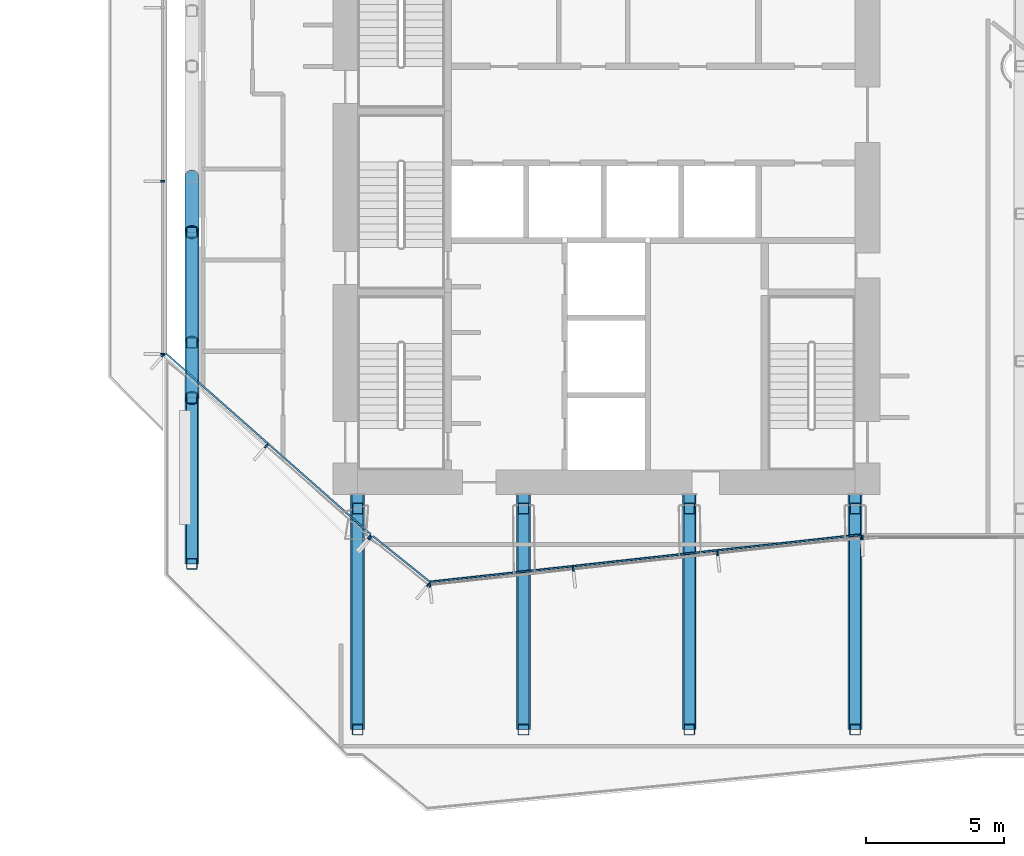
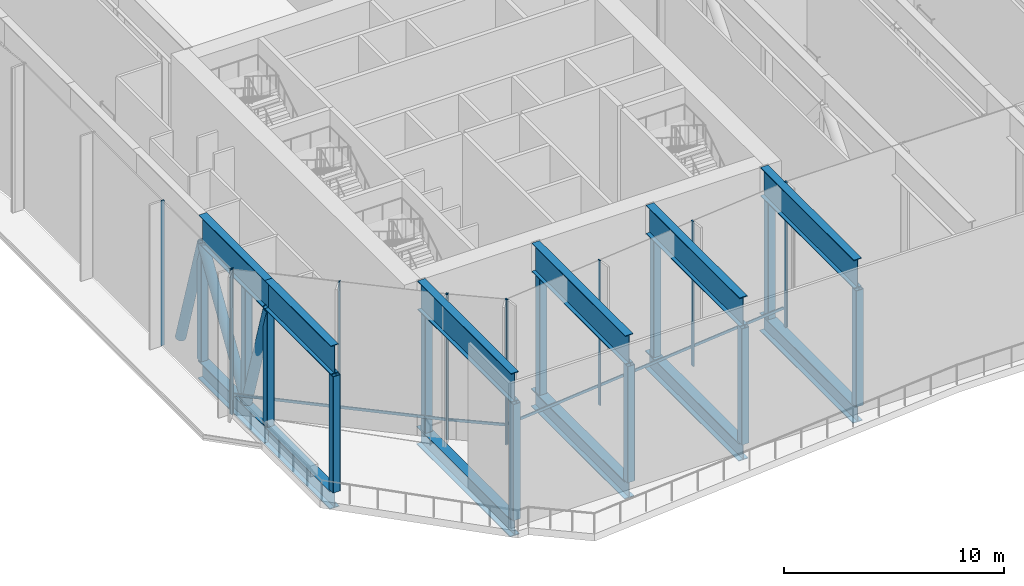
# One storey, part 1 of 25: 42 members, 5 elements without a shape of their own.
"""IFC4 building model written with IfcOpenShell, lengths in metres."""

import ifcopenshell
import ifcopenshell.guid

model = None  # the IFC model being written
_history = None  # IfcOwnerHistory: only IFC2X3 demands one
_inside = {}  # id of a spatial element -> (the spatial element, [elements in it])
_under = {}  # id of a project, library or spatial element -> (it, [spatial elements below it])
_declared = {}  # id of a project -> (the project, [libraries it declares])
_typed = {}  # id of a type object -> (the type object, [elements of that type])
_made_of = {}  # id of a material, layer set ... -> (it, [elements and type objects made of it])


def new_model(schema):
    """Start an empty IFC model of exactly this schema.

    Asked for "IFC4X3", IfcOpenShell would pick the latest addendum, in which some entities
    have other attributes; the version numbers below select the first issue.
    IFC2X3 requires an IfcOwnerHistory on every rooted entity: one is made here for all.
    """
    global model, _history
    if schema == "IFC4X3":
        model = ifcopenshell.file(schema_version=(4, 3, 0, 0))
    else:
        model = ifcopenshell.file(schema=schema)
    _inside.clear()
    _under.clear()
    _declared.clear()
    _typed.clear()
    _made_of.clear()
    _history = None
    if model.schema == "IFC2X3":
        org = make("IfcOrganization", Name="unknown")
        user = make(
            "IfcPersonAndOrganization",
            ThePerson=make("IfcPerson", FamilyName="unknown"),
            TheOrganization=org,
        )
        app = make(
            "IfcApplication",
            ApplicationDeveloper=org,
            Version="unknown",
            ApplicationFullName="unknown",
            ApplicationIdentifier="unknown",
        )
        _history = make(
            "IfcOwnerHistory",
            OwningUser=user,
            OwningApplication=app,
            ChangeAction="ADDED",
            CreationDate=0,
        )
    return model


def make(cls, **values):
    """One entity of the class cls with the attributes given. An attribute that is None is left unset."""
    return model.create_entity(
        cls, **{name: value for name, value in values.items() if value is not None}
    )


def rooted(cls, **values):
    """An entity with a GlobalId (a new one), such as an element, a storey or a relation."""
    return make(cls, GlobalId=ifcopenshell.guid.new(), OwnerHistory=_history, **values)


def si_unit(unit_type, name, prefix=None):
    """IfcSIUnit, for example si_unit("LENGTHUNIT", "METRE", prefix="MILLI")."""
    return make("IfcSIUnit", UnitType=unit_type, Prefix=prefix, Name=name)


def assignment(units):
    """IfcUnitAssignment: the units of a project."""
    return None if units is None else make("IfcUnitAssignment", Units=units)


def point(xyz):
    """IfcCartesianPoint."""
    return None if xyz is None else make("IfcCartesianPoint", Coordinates=xyz)


def direction(xyz):
    """IfcDirection."""
    return None if xyz is None else make("IfcDirection", DirectionRatios=xyz)


def frame(location, z_axis=None, x_axis=None):
    """IfcAxis2Placement3D, a coordinate frame: its origin and axes. An axis left out is left unset."""
    return make(
        "IfcAxis2Placement3D",
        Location=point(location),
        Axis=direction(z_axis),
        RefDirection=direction(x_axis),
    )


def frame_2d(location, x_axis=None):
    """IfcAxis2Placement2D, a coordinate frame in the plane: its origin and x axis."""
    return make(
        "IfcAxis2Placement2D", Location=point(location), RefDirection=direction(x_axis)
    )


def origin():
    """The frame at (0, 0, 0) with its axes left unset."""
    return frame((0.0, 0.0, 0.0))


def origin_2d():
    """The frame at (0, 0) in the plane with its x axis left unset."""
    return frame_2d((0.0, 0.0))


def place(relative_to, where):
    """IfcLocalPlacement: puts the frame where relative to a parent placement (None: the world)."""
    return make(
        "IfcLocalPlacement", PlacementRelTo=relative_to, RelativePlacement=where
    )


def context(
    kind, dimensions, precision=None, world=None, true_north=None, identifier=None
):
    """IfcGeometricRepresentationContext, for example the 3D "Model" context."""
    return make(
        "IfcGeometricRepresentationContext",
        ContextIdentifier=identifier,
        ContextType=kind,
        CoordinateSpaceDimension=dimensions,
        Precision=precision,
        WorldCoordinateSystem=world,
        TrueNorth=true_north,
    )


def subcontext(parent, identifier, kind, view, scale=None):
    """IfcGeometricRepresentationSubContext, for example "Body" below "Model"."""
    return make(
        "IfcGeometricRepresentationSubContext",
        ContextIdentifier=identifier,
        ContextType=kind,
        ParentContext=parent,
        TargetScale=scale,
        TargetView=view,
    )


def project(units=None, contexts=None):
    """IfcProject with its units and contexts."""
    return rooted(
        "IfcProject",
        Name="project",
        RepresentationContexts=contexts,
        UnitsInContext=assignment(units),
    )


def spatial(cls, under=None, at=None, **own):
    """A site, building, storey or space (cls), placed at a placement, below another one or the project."""
    s = rooted(cls, ObjectPlacement=at, **own)
    if under is not None:
        _under.setdefault(under.id(), (under, []))[1].append(s)
    return s


def profile(cls, at=None, kind="AREA", **sizes):
    """A parametric profile (cls). Its sizes go by their IFC names, for example OverallWidth=200.0."""
    return make(cls, ProfileType=kind, Position=at, **sizes)


def rectangle(**sizes):
    """IfcRectangleProfileDef."""
    return profile("IfcRectangleProfileDef", **sizes)


def hollow_rectangle(**sizes):
    """IfcRectangleHollowProfileDef."""
    return profile("IfcRectangleHollowProfileDef", **sizes)


def hollow_circle(**sizes):
    """IfcCircleHollowProfileDef."""
    return profile("IfcCircleHollowProfileDef", **sizes)


def i_section(**sizes):
    """IfcIShapeProfileDef."""
    return profile("IfcIShapeProfileDef", **sizes)


def extrude(swept, where, along, depth):
    """IfcExtrudedAreaSolid: the profile swept, set in the frame where, extruded along a direction by depth."""
    return make(
        "IfcExtrudedAreaSolid",
        SweptArea=swept,
        Position=where,
        ExtrudedDirection=direction(along),
        Depth=depth,
    )


def shape(context_of_items, identifier, shape_type, items):
    """IfcShapeRepresentation: the items that make up one representation, for example the "Body"."""
    return make(
        "IfcShapeRepresentation",
        ContextOfItems=context_of_items,
        RepresentationIdentifier=identifier,
        RepresentationType=shape_type,
        Items=items,
    )


def material(Name=None, Category=None):
    """IfcMaterial."""
    return make("IfcMaterial", Name=Name, Category=Category)


def layer(
    of_material, thickness, ventilated=None, Name=None, Category=None, Priority=None
):
    """IfcMaterialLayer: one layer of a wall or slab, of a material (None: an air gap)."""
    return make(
        "IfcMaterialLayer",
        Material=of_material,
        LayerThickness=thickness,
        IsVentilated=ventilated,
        Name=Name,
        Category=Category,
        Priority=Priority,
    )


def layer_set(layers, Name=None):
    """IfcMaterialLayerSet."""
    return make("IfcMaterialLayerSet", MaterialLayers=layers, LayerSetName=Name)


def material_profile(
    of_material, cross_section, Name=None, Category=None, Priority=None
):
    """IfcMaterialProfile: a cross section and its material."""
    return make(
        "IfcMaterialProfile",
        Name=Name,
        Material=of_material,
        Profile=cross_section,
        Priority=Priority,
        Category=Category,
    )


def profile_set(profiles, Name=None, composite=None):
    """IfcMaterialProfileSet."""
    return make(
        "IfcMaterialProfileSet",
        Name=Name,
        MaterialProfiles=profiles,
        CompositeProfile=composite,
    )


def made_of(thing, what):
    """Note that an element or type object is made of a material, layer set ...; save() writes the relation."""
    if what is not None:
        _made_of.setdefault(what.id(), (what, []))[1].append(thing)
    return thing


def type_object(cls, material=None, **own):
    """A type object (cls), such as IfcWallType, which elements share."""
    return made_of(rooted(cls, **own), material)


def element(
    cls,
    number,
    at=None,
    inside=None,
    cuts=None,
    type_object=None,
    material=None,
    context=None,
    identifier="Body",
    shape_type=None,
    held_by="IfcProductDefinitionShape",
    body=None,
    shapes=None,
    **own,
):
    """One element of the class cls, such as IfcWall. Its Tag is "e" and its number.

    at: its placement. inside: the storey or other place that contains it. cuts: it is an
    opening in that element (IfcRelVoidsElement). A single representation is given by context,
    identifier, shape_type and body (its items); several are given by shapes. held_by: the class
    of the entity that holds the representations. save() writes the other relations.
    """
    e = rooted(cls, Tag="e%d" % number, ObjectPlacement=at, **own)
    if body is not None:
        shapes = [shape(context, identifier, shape_type, body)]
    if shapes is not None:
        e.Representation = make(held_by, Representations=shapes)
    if inside is not None:
        _inside.setdefault(inside.id(), (inside, []))[1].append(e)
    if cuts is not None:
        rooted(
            "IfcRelVoidsElement", RelatingBuildingElement=cuts, RelatedOpeningElement=e
        )
    if type_object is not None:
        _typed.setdefault(type_object.id(), (type_object, []))[1].append(e)
    return made_of(e, material)


def aggregate(whole, parts):
    """IfcRelAggregates: a whole, such as a stair, and the parts it consists of."""
    return rooted("IfcRelAggregates", RelatingObject=whole, RelatedObjects=parts)


def save(model, path):
    """Write the relations noted so far, then the file.

    IfcRelAggregates (storeys below a building ...), IfcRelContainedInSpatialStructure (elements
    in a storey), IfcRelDefinesByType, IfcRelAssociatesMaterial and IfcRelDeclares: one each for
    every whole, place, type object, material and project.
    """
    for whole, parts in _under.values():
        aggregate(whole, parts)
    for where, things in _inside.values():
        rooted(
            "IfcRelContainedInSpatialStructure",
            RelatedElements=things,
            RelatingStructure=where,
        )
    for kind, things in _typed.values():
        rooted("IfcRelDefinesByType", RelatedObjects=things, RelatingType=kind)
    for what, things in _made_of.values():
        rooted("IfcRelAssociatesMaterial", RelatedObjects=things, RelatingMaterial=what)
    for by, libraries in _declared.values():
        rooted("IfcRelDeclares", RelatingContext=by, RelatedDefinitions=libraries)
    model.write(path)


model = new_model("IFC4")

# Units and contexts
model_context = context("Model", 3, precision=1e-05, world=origin(), true_north=direction((0.0, 1.0)))
body_context = subcontext(model_context, "Body", "Model", "MODEL_VIEW")
ifc_project = project(units=[si_unit("LENGTHUNIT", "METRE"), si_unit("AREAUNIT", "SQUARE_METRE"), si_unit("VOLUMEUNIT", "CUBIC_METRE"), si_unit("PLANEANGLEUNIT", "RADIAN"), si_unit("MASSUNIT", "GRAM", prefix="KILO")], contexts=[model_context])

# Site, building, storey
site_placement = place(None, origin())
site = spatial("IfcSite", under=ifc_project, at=site_placement, CompositionType="ELEMENT")
building_placement = place(site_placement, origin())
building = spatial("IfcBuilding", under=site, at=building_placement, Name="Welwitschia Terrace Campus", CompositionType="ELEMENT")
storey_placement = place(building_placement, frame((0.0, 0.0, 79.39990234375)))
storey = spatial("IfcBuildingStorey", under=building, at=storey_placement, Name="L18", CompositionType="ELEMENT", Elevation=79.39990234375)

# Curtain wall, members
ifc_material_1 = material(Name="Bronze anodised aluminium", Category="aluminium")
ifc_layer = layer(ifc_material_1, 0.159912109375)
ifc_layer_set = layer_set([ifc_layer], Name="Bronze anodised aluminium")
curtain_wall_type = type_object("IfcCurtainWallType", Name="Curtain wall CW3 commons 6000", PredefinedType="NOTDEFINED", material=ifc_layer_set)
curtain_wall_1_placement = place(storey_placement, origin())
curtain_wall_1 = element("IfcCurtainWall", 1, at=curtain_wall_1_placement, inside=storey, type_object=curtain_wall_type, Name="CW L18.4.0", PredefinedType="NOTDEFINED")
ifc_material_2 = material(Name="Bronze anodised aluminium", Category="aluminium")
ifc_material_profile_1 = material_profile(ifc_material_2, rectangle(XDim=0.159912109375, YDim=0.06005859375, at=origin_2d()))
ifc_profile_set_1 = profile_set([ifc_material_profile_1], Name="Bronze anodised aluminium")
member_type_1 = type_object("IfcMemberType", Name="Mullion 60x160", PredefinedType="MULLION", material=ifc_profile_set_1)
member_1_placement = place(storey_placement, frame((-1.050048828125, 15.842041015625, 0.0), z_axis=(0.0, 0.0, 1.0), x_axis=(1.0, 0.0, 0.0)))
member_1 = element("IfcMember", 2, at=member_1_placement, type_object=member_type_1, Name="Mullion L18.4.0.2", PredefinedType="MULLION", context=body_context, shape_type="SweptSolid", body=[
    extrude(rectangle(XDim=0.159912109375, YDim=0.06005859375, at=origin_2d()), origin(), (0.0, 0.0, 1.0), 8.050048828125),
])
member_2_placement = place(storey_placement, frame((-1.050048828125, 9.594970703125, 0.0), z_axis=(0.0, 0.0, 1.0), x_axis=(1.0, 0.0, 0.0)))
member_2 = element("IfcMember", 3, at=member_2_placement, type_object=member_type_1, Name="Mullion L18.4.0.3", PredefinedType="MULLION", context=body_context, shape_type="SweptSolid", body=[
    extrude(rectangle(XDim=0.159912109375, YDim=0.06005859375, at=origin_2d()), origin(), (0.0, 0.0, 1.0), 8.050048828125),
])
aggregate(curtain_wall_1, [member_1, member_2])

curtain_wall_2_placement = place(storey_placement, origin())
curtain_wall_2 = element("IfcCurtainWall", 4, at=curtain_wall_2_placement, inside=storey, type_object=curtain_wall_type, Name="CW L18.5.0", PredefinedType="NOTDEFINED")
member_3_placement = place(storey_placement, frame((-1.027587890625, 9.545166015625, 0.0), z_axis=(0.0, 0.0, 1.0), x_axis=(0.661857693601, 0.749629504102, 0.0)))
member_3 = element("IfcMember", 5, at=member_3_placement, type_object=member_type_1, Name="Mullion L18.5.0.0", PredefinedType="MULLION", context=body_context, shape_type="SweptSolid", body=[
    extrude(rectangle(XDim=0.159912109375, YDim=0.06005859375, at=origin_2d()), origin(), (0.0, 0.0, 1.0), 8.050048828125),
])
member_4_placement = place(storey_placement, frame((2.696044921875, 6.257568359375, 0.0), z_axis=(0.0, 0.0, 1.0), x_axis=(0.661857693601, 0.749629504102, 0.0)))
member_4 = element("IfcMember", 6, at=member_4_placement, type_object=member_type_1, Name="Mullion L18.5.0.1", PredefinedType="MULLION", context=body_context, shape_type="SweptSolid", body=[
    extrude(rectangle(XDim=0.159912109375, YDim=0.06005859375, at=origin_2d()), origin(), (0.0, 0.0, 1.0), 8.050048828125),
])
member_5_placement = place(storey_placement, frame((6.419921875, 2.969970703125, 0.0), z_axis=(0.0, 0.0, 1.0), x_axis=(0.661857693601, 0.749629504102, 0.0)))
member_5 = element("IfcMember", 7, at=member_5_placement, type_object=member_type_1, Name="Mullion L18.5.0.2", PredefinedType="MULLION", context=body_context, shape_type="SweptSolid", body=[
    extrude(rectangle(XDim=0.159912109375, YDim=0.06005859375, at=origin_2d()), origin(), (0.0, 0.0, 1.0), 8.050048828125),
])

curtain_wall_3_placement = place(storey_placement, origin())
curtain_wall_3 = element("IfcCurtainWall", 8, at=curtain_wall_3_placement, inside=storey, type_object=curtain_wall_type, Name="CW L18.6.0", PredefinedType="NOTDEFINED")
member_6_placement = place(storey_placement, frame((6.4658203125, 2.93115234375, 0.0), z_axis=(0.0, 0.0, 1.0), x_axis=(0.625923472184, 0.779884483093, 0.0)))
member_6 = element("IfcMember", 9, at=member_6_placement, type_object=member_type_1, Name="Mullion L18.6.0.0", PredefinedType="MULLION", context=body_context, shape_type="SweptSolid", body=[
    extrude(rectangle(XDim=0.159912109375, YDim=0.06005859375, at=origin_2d()), origin(), (0.0, 0.0, 1.0), 8.050048828125),
])
member_7_placement = place(storey_placement, frame((8.555908203125, 1.253662109375, 0.0), z_axis=(0.0, 0.0, 1.0), x_axis=(0.625923472184, 0.779884483093, 0.0)))
member_7 = element("IfcMember", 10, at=member_7_placement, type_object=member_type_1, Name="Mullion L18.6.0.1", PredefinedType="MULLION", context=body_context, shape_type="SweptSolid", body=[
    extrude(rectangle(XDim=0.159912109375, YDim=0.06005859375, at=origin_2d()), origin(), (0.0, 0.0, 1.0), 8.050048828125),
])

curtain_wall_4_placement = place(storey_placement, origin())
curtain_wall_4 = element("IfcCurtainWall", 11, at=curtain_wall_4_placement, inside=storey, type_object=curtain_wall_type, Name="CW L18.7.0", PredefinedType="NOTDEFINED")
member_8_placement = place(storey_placement, frame((8.609130859375, 1.23828125, 0.0), z_axis=(0.0, 0.0, 1.0), x_axis=(-0.108866874852, 0.994056338222, 0.0)))
member_8 = element("IfcMember", 12, at=member_8_placement, type_object=member_type_1, Name="Mullion L18.7.0.0", PredefinedType="MULLION", context=body_context, shape_type="SweptSolid", body=[
    extrude(rectangle(XDim=0.159912109375, YDim=0.06005859375, at=origin_2d()), origin(), (0.0, 0.0, 1.0), 8.050048828125),
])
member_9_placement = place(storey_placement, frame((13.79931640625, 1.806640625, 0.0), z_axis=(0.0, 0.0, 1.0), x_axis=(-0.108866874852, 0.994056338222, 0.0)))
member_9 = element("IfcMember", 13, at=member_9_placement, type_object=member_type_1, Name="Mullion L18.7.0.1", PredefinedType="MULLION", context=body_context, shape_type="SweptSolid", body=[
    extrude(rectangle(XDim=0.159912109375, YDim=0.06005859375, at=origin_2d()), origin(), (0.0, 0.0, 1.0), 8.050048828125),
])
member_10_placement = place(storey_placement, frame((19.019287109375, 2.37841796875, 0.0), z_axis=(0.0, 0.0, 1.0), x_axis=(-0.108866874852, 0.994056338222, 0.0)))
member_10 = element("IfcMember", 14, at=member_10_placement, type_object=member_type_1, Name="Mullion L18.7.0.2", PredefinedType="MULLION", context=body_context, shape_type="SweptSolid", body=[
    extrude(rectangle(XDim=0.159912109375, YDim=0.06005859375, at=origin_2d()), origin(), (0.0, 0.0, 1.0), 8.050048828125),
])
member_11_placement = place(storey_placement, frame((24.20947265625, 2.94677734375, 0.0), z_axis=(0.0, 0.0, 1.0), x_axis=(-0.108866874852, 0.994056338222, 0.0)))
member_11 = element("IfcMember", 15, at=member_11_placement, type_object=member_type_1, Name="Mullion L18.7.0.3", PredefinedType="MULLION", context=body_context, shape_type="SweptSolid", body=[
    extrude(rectangle(XDim=0.159912109375, YDim=0.06005859375, at=origin_2d()), origin(), (0.0, 0.0, 1.0), 8.050048828125),
])

# Curtain wall, member
curtain_wall_5_placement = place(storey_placement, origin())
curtain_wall_5 = element("IfcCurtainWall", 16, at=curtain_wall_5_placement, inside=storey, type_object=curtain_wall_type, Name="CW L18.8.0", PredefinedType="NOTDEFINED")
member_12_placement = place(storey_placement, frame((24.269287109375, 2.949951171875, 0.0), z_axis=(0.0, 0.0, 1.0), x_axis=(0.0, 1.0, 0.0)))
member_12 = element("IfcMember", 17, at=member_12_placement, type_object=member_type_1, Name="Mullion L18.8.0.0", PredefinedType="MULLION", context=body_context, shape_type="SweptSolid", body=[
    extrude(rectangle(XDim=0.159912109375, YDim=0.06005859375, at=origin_2d()), origin(), (0.0, 0.0, 1.0), 8.050048828125),
])
aggregate(curtain_wall_5, [member_12])

# Members
ifc_material_3 = material(Name="Steel S355", Category="steel")
ifc_material_profile_2 = material_profile(ifc_material_3, i_section(OverallWidth=0.5, OverallDepth=1.0, WebThickness=0.030029296875, FlangeThickness=0.0400390625, at=origin_2d()))
ifc_profile_set_2 = profile_set([ifc_material_profile_2], Name="Steel S355")
member_type_2 = type_object("IfcMemberType", Name="Transfer truss C1 bottom chord WI 1000x500x30x40", PredefinedType="CHORD", material=ifc_profile_set_2)
for number, where, z_axis, x_axis, name in (
    (18, (0.0, 2.0, -0.5), (0.0, 1.0, 0.0), (-1.0, 0.0, 0.0), "Truss bottom chord"),
    (19, (0.0, 8.0, -0.5), (0.0, 1.0, 0.0), (-1.0, 0.0, 0.0), "Truss bottom chord"),
):
    element("IfcMember", number, at=place(storey_placement, frame(where, z_axis=z_axis, x_axis=x_axis)), inside=storey, type_object=member_type_2, Name=name, PredefinedType="CHORD", context=body_context, shape_type="SweptSolid", body=[
        extrude(i_section(OverallWidth=0.5, OverallDepth=1.0, WebThickness=0.030029296875, FlangeThickness=0.0400390625, at=origin_2d()), origin(), (0.0, 0.0, 1.0), 6.0),
    ])
for number, where, z_axis, x_axis, name in (
    (20, (6.0, -4.0, -0.5), (0.0, 1.0, 0.0), (-1.0, 0.0, 0.0), "Truss bottom chord"),
    (21, (12.0, -4.0, -0.5), (0.0, 1.0, 0.0), (-1.0, 0.0, 0.0), "Truss bottom chord"),
    (22, (18.0, -4.0, -0.5), (0.0, 1.0, 0.0), (-1.0, 0.0, 0.0), "Truss bottom chord"),
    (23, (24.0, -4.0, -0.5), (0.0, 1.0, 0.0), (-1.0, 0.0, 0.0), "Truss bottom chord"),
):
    element("IfcMember", number, at=place(storey_placement, frame(where, z_axis=z_axis, x_axis=x_axis)), inside=storey, type_object=member_type_2, Name=name, PredefinedType="CHORD", context=body_context, shape_type="SweptSolid", body=[
        extrude(i_section(OverallWidth=0.5, OverallDepth=1.0, WebThickness=0.030029296875, FlangeThickness=0.0400390625, at=origin_2d()), origin(), (0.0, 0.0, 1.0), 8.5),
    ])
ifc_material_4 = material(Name="Steel S355", Category="steel")
ifc_material_profile_3 = material_profile(ifc_material_4, hollow_circle(Radius=0.25390625, WallThickness=0.02490234375, at=origin_2d()))
ifc_profile_set_3 = profile_set([ifc_material_profile_3], Name="Steel S355")
member_type_3 = type_object("IfcMemberType", Name="Transfer truss C1 diagonal CHS 508x25", PredefinedType="BRACE", material=ifc_profile_set_3)
member_13_placement = place(storey_placement, frame((0.0, 10.0, 0.0), z_axis=(0.0, -0.296158139039, 0.955138920095), x_axis=(1.0, 0.0, 0.0)))
element("IfcMember", 24, at=member_13_placement, inside=storey, type_object=member_type_3, Name="Truss diagonal", PredefinedType="BRACE", context=body_context, shape_type="SweptSolid", body=[
    extrude(hollow_circle(Radius=0.25390625, WallThickness=0.02490234375, at=origin_2d()), origin(), (0.0, 0.0, 1.0), 6.753173828125),
])
member_14_placement = place(storey_placement, frame((0.0, 10.0, 0.0), z_axis=(0.0, 0.527023313392, 0.849850826405), x_axis=(-1.0, 0.0, 0.0)))
element("IfcMember", 25, at=member_14_placement, inside=storey, type_object=member_type_3, Name="Truss diagonal", PredefinedType="BRACE", context=body_context, shape_type="SweptSolid", body=[
    extrude(hollow_circle(Radius=0.25390625, WallThickness=0.02490234375, at=origin_2d()), origin(), (0.0, 0.0, 1.0), 7.58984375),
])
member_15_placement = place(storey_placement, frame((0.0, 16.0, 0.0), z_axis=(0.0, -0.296158139039, 0.955138920095), x_axis=(1.0, 0.0, 0.0)))
element("IfcMember", 26, at=member_15_placement, inside=storey, type_object=member_type_3, Name="Truss diagonal", PredefinedType="BRACE", context=body_context, shape_type="SweptSolid", body=[
    extrude(hollow_circle(Radius=0.25390625, WallThickness=0.02490234375, at=origin_2d()), origin(), (0.0, 0.0, 1.0), 6.753173828125),
])
ifc_material_5 = material(Name="Steel S355", Category="steel")
ifc_material_profile_4 = material_profile(ifc_material_5, hollow_rectangle(XDim=0.39990234375, YDim=0.39990234375, WallThickness=0.02490234375, InnerFilletRadius=0.02490234375, OuterFilletRadius=0.03759765625, at=origin_2d()))
ifc_profile_set_4 = profile_set([ifc_material_profile_4], Name="Steel S355")
member_type_4 = type_object("IfcMemberType", Name="Transfer truss C1 post SHS 400x400x25", PredefinedType="POST", material=ifc_profile_set_4)
for number, where, z_axis, x_axis, name in (
    (27, (0.0, 2.0, 0.0), (0.0, 0.0, 1.0), (1.0, 0.0, 0.0), "Truss post"),
    (28, (0.0, 8.0, 0.0), (0.0, 0.0, 1.0), (1.0, 0.0, 0.0), "Truss post"),
    (29, (0.0, 10.0, 0.0), (0.0, 0.0, 1.0), (1.0, 0.0, 0.0), "Truss post"),
    (30, (0.0, 14.0, 0.0), (0.0, 0.0, 1.0), (1.0, 0.0, 0.0), "Truss post"),
    (31, (6.0, -4.0, 0.0), (0.0, 0.0, 1.0), (1.0, 0.0, 0.0), "Truss post"),
    (32, (6.0, 4.0, 0.0), (0.0, 0.0, 1.0), (1.0, 0.0, 0.0), "Truss post"),
    (33, (12.0, -4.0, 0.0), (0.0, 0.0, 1.0), (1.0, 0.0, 0.0), "Truss post"),
    (34, (12.0, 4.0, 0.0), (0.0, 0.0, 1.0), (1.0, 0.0, 0.0), "Truss post"),
    (35, (18.0, -4.0, 0.0), (0.0, 0.0, 1.0), (1.0, 0.0, 0.0), "Truss post"),
    (36, (18.0, 4.0, 0.0), (0.0, 0.0, 1.0), (1.0, 0.0, 0.0), "Truss post"),
    (37, (24.0, -4.0, 0.0), (0.0, 0.0, 1.0), (1.0, 0.0, 0.0), "Truss post"),
    (38, (24.0, 4.0, 0.0), (0.0, 0.0, 1.0), (1.0, 0.0, 0.0), "Truss post"),
):
    element("IfcMember", number, at=place(storey_placement, frame(where, z_axis=z_axis, x_axis=x_axis)), inside=storey, type_object=member_type_4, Name=name, PredefinedType="POST", context=body_context, shape_type="SweptSolid", body=[
        extrude(hollow_rectangle(XDim=0.39990234375, YDim=0.39990234375, WallThickness=0.02490234375, InnerFilletRadius=0.02490234375, OuterFilletRadius=0.03759765625, at=origin_2d()), origin(), (0.0, 0.0, 1.0), 6.4501953125),
    ])
ifc_material_6 = material(Name="Steel S355", Category="steel")
ifc_material_profile_5 = material_profile(ifc_material_6, i_section(OverallWidth=0.39990234375, OverallDepth=1.60009765625, WebThickness=0.030029296875, FlangeThickness=0.0400390625, at=origin_2d()))
ifc_profile_set_5 = profile_set([ifc_material_profile_5], Name="Steel S355")
member_type_5 = type_object("IfcMemberType", Name="Transfer truss C1 top chord WI 1600x400x30x40", PredefinedType="CHORD", material=ifc_profile_set_5)
for number, where, z_axis, x_axis, name in (
    (39, (0.0, 2.0, 7.25), (0.0, 1.0, 0.0), (-1.0, 0.0, 0.0), "Truss top chord"),
    (40, (0.0, 8.0, 7.25), (0.0, 1.0, 0.0), (-1.0, 0.0, 0.0), "Truss top chord"),
):
    element("IfcMember", number, at=place(storey_placement, frame(where, z_axis=z_axis, x_axis=x_axis)), inside=storey, type_object=member_type_5, Name=name, PredefinedType="CHORD", context=body_context, shape_type="SweptSolid", body=[
        extrude(i_section(OverallWidth=0.39990234375, OverallDepth=1.60009765625, WebThickness=0.030029296875, FlangeThickness=0.0400390625, at=origin_2d()), origin(), (0.0, 0.0, 1.0), 6.0),
    ])
for number, where, z_axis, x_axis, name in (
    (41, (6.0, -4.0, 7.25), (0.0, 1.0, 0.0), (-1.0, 0.0, 0.0), "Truss top chord"),
    (42, (12.0, -4.0, 7.25), (0.0, 1.0, 0.0), (-1.0, 0.0, 0.0), "Truss top chord"),
    (43, (18.0, -4.0, 7.25), (0.0, 1.0, 0.0), (-1.0, 0.0, 0.0), "Truss top chord"),
    (44, (24.0, -4.0, 7.25), (0.0, 1.0, 0.0), (-1.0, 0.0, 0.0), "Truss top chord"),
):
    element("IfcMember", number, at=place(storey_placement, frame(where, z_axis=z_axis, x_axis=x_axis)), inside=storey, type_object=member_type_5, Name=name, PredefinedType="CHORD", context=body_context, shape_type="SweptSolid", body=[
        extrude(i_section(OverallWidth=0.39990234375, OverallDepth=1.60009765625, WebThickness=0.030029296875, FlangeThickness=0.0400390625, at=origin_2d()), origin(), (0.0, 0.0, 1.0), 8.5),
    ])

# Member
ifc_material_7 = material(Name="Bronze anodised aluminium", Category="aluminium")
ifc_material_profile_6 = material_profile(ifc_material_7, rectangle(XDim=0.06005859375, YDim=0.14990234375, at=origin_2d()))
ifc_profile_set_6 = profile_set([ifc_material_profile_6], Name="Bronze anodised aluminium")
member_type_6 = type_object("IfcMemberType", Name="Transom 60x150", PredefinedType="USERDEFINED", material=ifc_profile_set_6)
member_16_placement = place(storey_placement, frame((-0.93212890625, 9.60791015625, 1.0), z_axis=(0.749628578655, -0.661858741774, 0.0), x_axis=(0.661858741774, 0.749628578655, 0.0)))
member_16 = element("IfcMember", 45, at=member_16_placement, type_object=member_type_6, Name="Transom L18.5.0", ObjectType="TRANSOM", PredefinedType="USERDEFINED", context=body_context, shape_type="SweptSolid", body=[
    extrude(rectangle(XDim=0.06005859375, YDim=0.14990234375, at=origin_2d()), origin(), (0.0, 0.0, 1.0), 9.874755859375),
])

aggregate(curtain_wall_2, [member_3, member_4, member_5, member_16])

member_17_placement = place(storey_placement, frame((6.557861328125, 2.998291015625, 1.0), z_axis=(0.779913375002, -0.62588747191, 0.0), x_axis=(0.62588747191, 0.779913375002, 0.0)))
member_17 = element("IfcMember", 46, at=member_17_placement, type_object=member_type_6, Name="Transom L18.6.0", ObjectType="TRANSOM", PredefinedType="USERDEFINED", context=body_context, shape_type="SweptSolid", body=[
    extrude(rectangle(XDim=0.06005859375, YDim=0.14990234375, at=origin_2d()), origin(), (0.0, 0.0, 1.0), 2.6201171875),
])

aggregate(curtain_wall_3, [member_6, member_7, member_17])

member_18_placement = place(storey_placement, frame((8.626953125, 1.350830078125, 1.0), z_axis=(0.994056940357, 0.108861376659, 0.0), x_axis=(-0.108861376659, 0.994056940357, 0.0)))
member_18 = element("IfcMember", 47, at=member_18_placement, type_object=member_type_6, Name="Transom L18.7.0", ObjectType="TRANSOM", PredefinedType="USERDEFINED", context=body_context, shape_type="SweptSolid", body=[
    extrude(rectangle(XDim=0.06005859375, YDim=0.14990234375, at=origin_2d()), origin(), (0.0, 0.0, 1.0), 15.6337890625),
])

aggregate(curtain_wall_4, [member_8, member_9, member_10, member_11, member_18])

save(model, "model.ifc")
